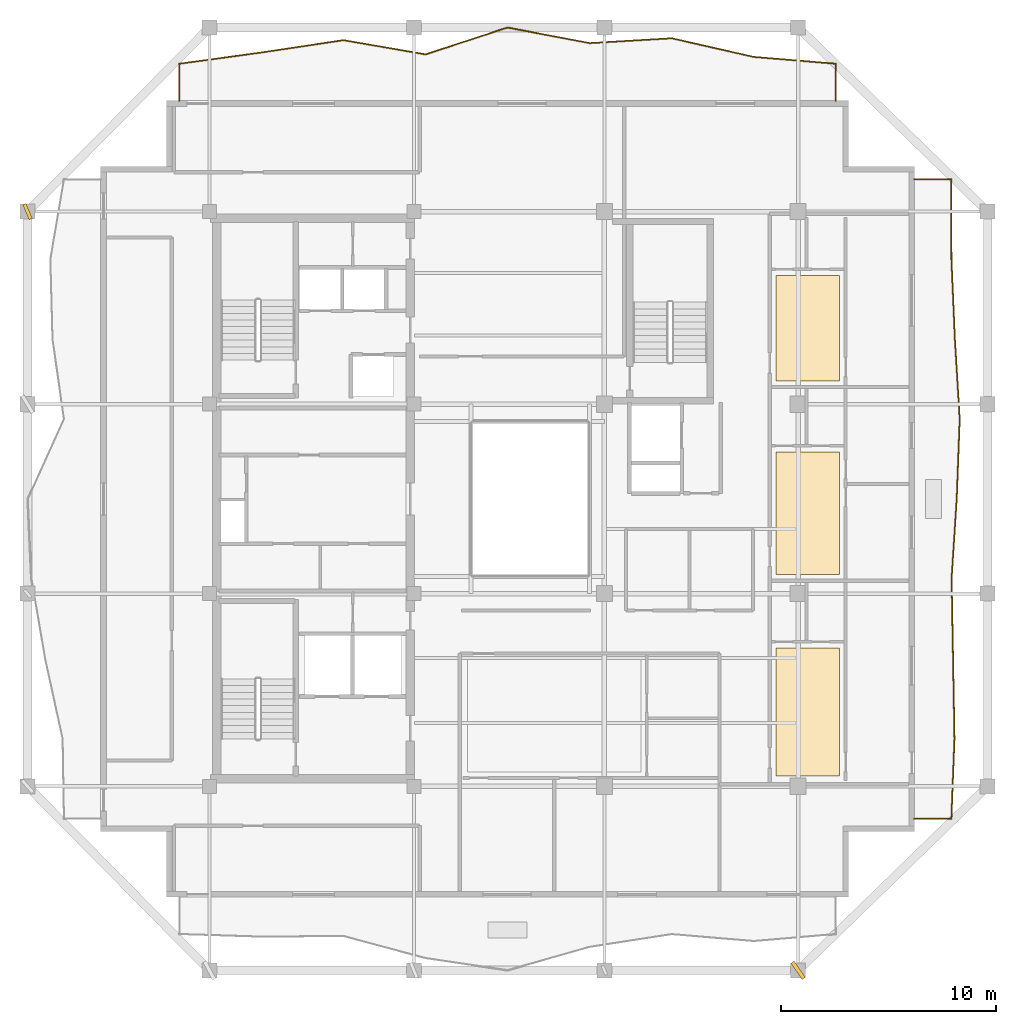
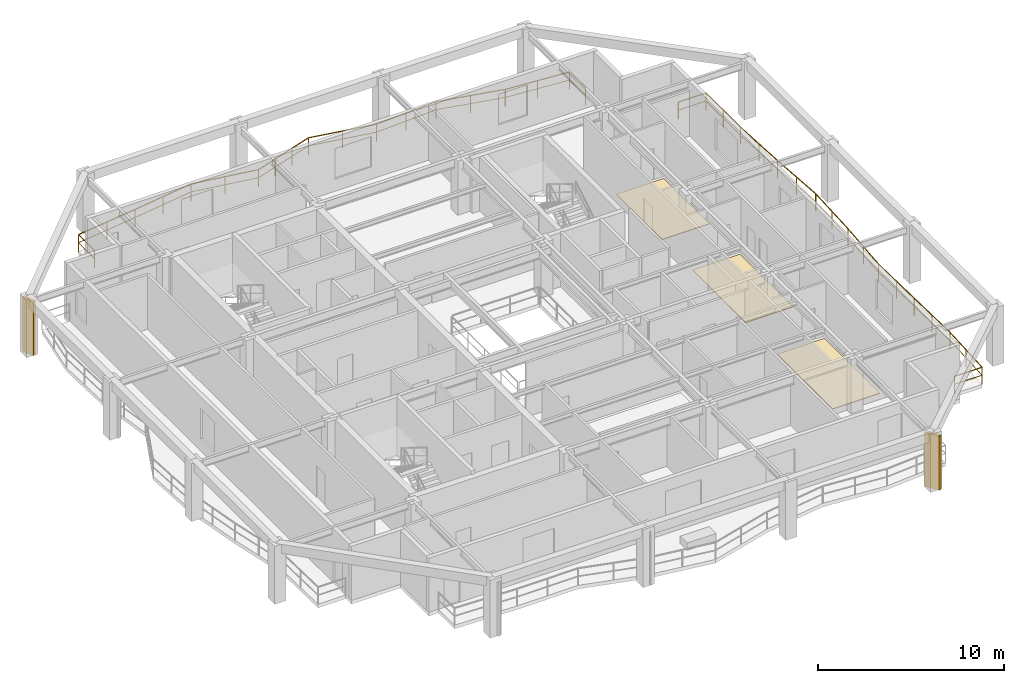
# One storey, part 9 of 10: 3 coverings, 2 railings, 2 shading devices.
"""IFC4 building model written with IfcOpenShell, lengths in metres."""

from ifc_helpers import new_model, si_unit, direction, frame, origin, origin_2d, place, context, subcontext, project, spatial, polyline, rectangle, outline, extrude, material, layer, layer_set, type_object, element, save


model = new_model("IFC4")

# Units and contexts
model_context = context("Model", 3, precision=1e-05, world=origin(), true_north=direction((0.0, 1.0)))
body_context = subcontext(model_context, "Body", "Model", "MODEL_VIEW")
ifc_project = project(units=[si_unit("LENGTHUNIT", "METRE"), si_unit("AREAUNIT", "SQUARE_METRE"), si_unit("VOLUMEUNIT", "CUBIC_METRE"), si_unit("PLANEANGLEUNIT", "RADIAN"), si_unit("MASSUNIT", "GRAM", prefix="KILO")], contexts=[model_context])

# Site, building, storey
site_placement = place(None, origin())
site = spatial("IfcSite", under=ifc_project, at=site_placement, CompositionType="ELEMENT")
building_placement = place(site_placement, origin())
building = spatial("IfcBuilding", under=site, at=building_placement, Name="Kundavana Baori Tower", CompositionType="ELEMENT")
storey_placement = place(building_placement, frame((0.0, 0.0, 320.10009765625)))
storey = spatial("IfcBuildingStorey", under=building, at=storey_placement, Name="L79", CompositionType="ELEMENT", Elevation=320.10009765625)

# Coverings
ifc_material_1 = material(Name="Honed Kota Stone and Terrazzo Flooring", Category="masonry")
ifc_layer = layer(ifc_material_1, 0.0400390625, Name="COV-FLR-TERR-40")
ifc_layer_set = layer_set([ifc_layer], Name="Honed Kota Stone and Terrazzo Flooring")
covering_type = type_object("IfcCoveringType", Name="COV-FLR-TERR-40", PredefinedType="FLOORING", material=ifc_layer_set)
covering_1_placement = place(storey_placement, origin())
element("IfcCovering", 1, at=covering_1_placement, inside=storey, type_object=covering_type, Name="L79 Room Finished Stone Flooring 2", PredefinedType="FLOORING", context=body_context, shape_type="SweptSolid", body=[
    extrude(outline(polyline([(41.780029296875, 15.72998046875), (44.719970703125, 15.72998046875), (44.719970703125, 21.679931640625), (41.780029296875, 21.679931640625), (41.780029296875, 15.72998046875)])), origin(), (0.0, 0.0, 1.0), 0.039794921875),
])
covering_2_placement = place(storey_placement, origin())
element("IfcCovering", 2, at=covering_2_placement, inside=storey, type_object=covering_type, Name="L79 Room Finished Stone Flooring 3", PredefinedType="FLOORING", context=body_context, shape_type="SweptSolid", body=[
    extrude(outline(polyline([(41.780029296875, 25.080078125), (44.719970703125, 25.080078125), (44.719970703125, 30.7900390625), (41.780029296875, 30.7900390625), (41.780029296875, 25.080078125)])), origin(), (0.0, 0.0, 1.0), 0.039794921875),
])
covering_3_placement = place(storey_placement, origin())
element("IfcCovering", 3, at=covering_3_placement, inside=storey, type_object=covering_type, Name="L79 Room Finished Stone Flooring 4", PredefinedType="FLOORING", context=body_context, shape_type="SweptSolid", body=[
    extrude(outline(polyline([(41.780029296875, 34.080078125), (44.719970703125, 34.080078125), (44.719970703125, 38.989990234375), (41.780029296875, 38.989990234375), (41.780029296875, 34.080078125)])), origin(), (0.0, 0.0, 1.0), 0.039794921875),
])

# Railings
ifc_material_2 = material(Name="Architectural Patinated Bronze Metalwork")
railing_type = type_object("IfcRailingType", Name="RL-BAL-1150", PredefinedType="BALUSTRADE", material=ifc_material_2)
railing_1_placement = place(storey_placement, frame((48.199951171875, 43.449951171875, 0.0)))
element("IfcRailing", 4, at=railing_1_placement, inside=storey, type_object=railing_type, Name="L79 Loggia Balcony Balustrade E", PredefinedType="BALUSTRADE", context=body_context, shape_type="SweptSolid", body=[
    extrude(rectangle(XDim=0.048095703125, YDim=0.048095703125, at=origin_2d()), frame((0.0, 0.0, 1.1259765625), z_axis=(1.0, 0.0, 0.0), x_axis=(0.0, 1.0, 0.0)), (0.0, 0.0, 1.0), 1.719970703125),
    extrude(rectangle(XDim=0.03125, YDim=0.03125, at=origin_2d()), frame((0.0, 0.0, 0.597900390625), z_axis=(1.0, 0.0, 0.0), x_axis=(0.0, 1.0, 0.0)), (0.0, 0.0, 1.0), 1.719970703125),
    extrude(rectangle(XDim=0.048095703125, YDim=0.048095703125, at=origin_2d()), frame((1.719970703125, 0.0, 1.1259765625), z_axis=(0.000855037835, -0.999999634455, 0.0), x_axis=(0.999999634455, 0.000855037835, 0.0)), (0.0, 0.0, 1.0), 3.7119140625),
    extrude(rectangle(XDim=0.03125, YDim=0.03125, at=origin_2d()), frame((1.719970703125, 0.0, 0.597900390625), z_axis=(0.000855037835, -0.999999634455, 0.0), x_axis=(0.999999634455, 0.000855037835, 0.0)), (0.0, 0.0, 1.0), 3.7119140625),
    extrude(rectangle(XDim=0.048095703125, YDim=0.048095703125, at=origin_2d()), frame((1.72314453125, -3.7119140625, 1.1259765625), z_axis=(0.043288989962, -0.999062592307, 0.0), x_axis=(0.999062592307, 0.043288989962, 0.0)), (0.0, 0.0, 1.0), 3.716552734375),
    extrude(rectangle(XDim=0.03125, YDim=0.03125, at=origin_2d()), frame((1.72314453125, -3.7119140625, 0.597900390625), z_axis=(0.043288989962, -0.999062592307, 0.0), x_axis=(0.999062592307, 0.043288989962, 0.0)), (0.0, 0.0, 1.0), 3.716552734375),
    extrude(rectangle(XDim=0.048095703125, YDim=0.048095703125, at=origin_2d()), frame((1.884033203125, -7.425048828125, 1.1259765625), z_axis=(0.060253294575, -0.998183119719, 0.0), x_axis=(0.998183119719, 0.060253294575, 0.0)), (0.0, 0.0, 1.0), 3.7197265625),
    extrude(rectangle(XDim=0.03125, YDim=0.03125, at=origin_2d()), frame((1.884033203125, -7.425048828125, 0.597900390625), z_axis=(0.060253294575, -0.998183119719, 0.0), x_axis=(0.998183119719, 0.060253294575, 0.0)), (0.0, 0.0, 1.0), 3.7197265625),
    extrude(rectangle(XDim=0.048095703125, YDim=0.048095703125, at=origin_2d()), frame((2.108154296875, -11.137939453125, 1.1259765625), z_axis=(-0.03720127669, -0.999307792931, 0.0), x_axis=(0.999307792931, -0.03720127669, 0.0)), (0.0, 0.0, 1.0), 3.714599609375),
    extrude(rectangle(XDim=0.03125, YDim=0.03125, at=origin_2d()), frame((2.108154296875, -11.137939453125, 0.597900390625), z_axis=(-0.03720127669, -0.999307792931, 0.0), x_axis=(0.999307792931, -0.03720127669, 0.0)), (0.0, 0.0, 1.0), 3.714599609375),
    extrude(rectangle(XDim=0.048095703125, YDim=0.048095703125, at=origin_2d()), frame((1.969970703125, -14.849853515625, 1.1259765625), z_axis=(-0.064253666072, -0.99793359819, 0.0), x_axis=(0.99793359819, -0.064253666072, 0.0)), (0.0, 0.0, 1.0), 3.7197265625),
    extrude(rectangle(XDim=0.03125, YDim=0.03125, at=origin_2d()), frame((1.969970703125, -14.849853515625, 0.597900390625), z_axis=(-0.064253666072, -0.99793359819, 0.0), x_axis=(0.99793359819, -0.064253666072, 0.0)), (0.0, 0.0, 1.0), 3.7197265625),
    extrude(rectangle(XDim=0.048095703125, YDim=0.048095703125, at=origin_2d()), frame((1.73095703125, -18.56201171875, 1.1259765625), z_axis=(0.018342521143, -0.999831761807, 0.0), x_axis=(0.999831761807, 0.018342521143, 0.0)), (0.0, 0.0, 1.0), 3.713623046875),
    extrude(rectangle(XDim=0.03125, YDim=0.03125, at=origin_2d()), frame((1.73095703125, -18.56201171875, 0.597900390625), z_axis=(0.018342521143, -0.999831761807, 0.0), x_axis=(0.999831761807, 0.018342521143, 0.0)), (0.0, 0.0, 1.0), 3.713623046875),
    extrude(rectangle(XDim=0.048095703125, YDim=0.048095703125, at=origin_2d()), frame((1.799072265625, -22.27490234375, 1.1259765625), z_axis=(0.01774984969, -0.999842459008, 0.0), x_axis=(0.999842459008, 0.01774984969, 0.0)), (0.0, 0.0, 1.0), 3.713623046875),
    extrude(rectangle(XDim=0.03125, YDim=0.03125, at=origin_2d()), frame((1.799072265625, -22.27490234375, 0.597900390625), z_axis=(0.01774984969, -0.999842459008, 0.0), x_axis=(0.999842459008, 0.01774984969, 0.0)), (0.0, 0.0, 1.0), 3.713623046875),
    extrude(rectangle(XDim=0.048095703125, YDim=0.048095703125, at=origin_2d()), frame((1.864990234375, -25.988037109375, 1.1259765625), z_axis=(-0.039038883792, -0.99923769222, 0.0), x_axis=(0.99923769222, -0.039038883792, 0.0)), (0.0, 0.0, 1.0), 3.71484375),
    extrude(rectangle(XDim=0.03125, YDim=0.03125, at=origin_2d()), frame((1.864990234375, -25.988037109375, 0.597900390625), z_axis=(-0.039038883792, -0.99923769222, 0.0), x_axis=(0.99923769222, -0.039038883792, 0.0)), (0.0, 0.0, 1.0), 3.71484375),
    extrude(rectangle(XDim=0.048095703125, YDim=0.048095703125, at=origin_2d()), frame((1.719970703125, -29.699951171875, 1.1259765625), z_axis=(-1.0, 0.0, 0.0), x_axis=(0.0, -1.0, 0.0)), (0.0, 0.0, 1.0), 1.719970703125),
    extrude(rectangle(XDim=0.03125, YDim=0.03125, at=origin_2d()), frame((1.719970703125, -29.699951171875, 0.597900390625), z_axis=(-1.0, 0.0, 0.0), x_axis=(0.0, -1.0, 0.0)), (0.0, 0.0, 1.0), 1.719970703125),
    extrude(rectangle(XDim=0.0419921875, YDim=0.0419921875, at=origin_2d()), origin(), (0.0, 0.0, 1.0), 1.101806640625),
    extrude(rectangle(XDim=0.0419921875, YDim=0.0419921875, at=origin_2d()), frame((1.719970703125, 0.0, 0.0)), (0.0, 0.0, 1.0), 1.101806640625),
    extrude(rectangle(XDim=0.0419921875, YDim=0.0419921875, at=origin_2d()), frame((1.7216796875, -1.85595703125, 0.0)), (0.0, 0.0, 1.0), 1.101806640625),
    extrude(rectangle(XDim=0.0419921875, YDim=0.0419921875, at=origin_2d()), frame((1.72314453125, -3.7119140625, 0.0)), (0.0, 0.0, 1.0), 1.101806640625),
    extrude(rectangle(XDim=0.0419921875, YDim=0.0419921875, at=origin_2d()), frame((1.8037109375, -5.568359375, 0.0)), (0.0, 0.0, 1.0), 1.101806640625),
    extrude(rectangle(XDim=0.0419921875, YDim=0.0419921875, at=origin_2d()), frame((1.884033203125, -7.425048828125, 0.0)), (0.0, 0.0, 1.0), 1.101806640625),
    extrude(rectangle(XDim=0.0419921875, YDim=0.0419921875, at=origin_2d()), frame((1.99609375, -9.281494140625, 0.0)), (0.0, 0.0, 1.0), 1.101806640625),
    extrude(rectangle(XDim=0.0419921875, YDim=0.0419921875, at=origin_2d()), frame((2.108154296875, -11.137939453125, 0.0)), (0.0, 0.0, 1.0), 1.101806640625),
    extrude(rectangle(XDim=0.0419921875, YDim=0.0419921875, at=origin_2d()), frame((2.0390625, -12.993896484375, 0.0)), (0.0, 0.0, 1.0), 1.101806640625),
    extrude(rectangle(XDim=0.0419921875, YDim=0.0419921875, at=origin_2d()), frame((1.969970703125, -14.849853515625, 0.0)), (0.0, 0.0, 1.0), 1.101806640625),
    extrude(rectangle(XDim=0.0419921875, YDim=0.0419921875, at=origin_2d()), frame((1.8505859375, -16.7060546875, 0.0)), (0.0, 0.0, 1.0), 1.101806640625),
    extrude(rectangle(XDim=0.0419921875, YDim=0.0419921875, at=origin_2d()), frame((1.73095703125, -18.56201171875, 0.0)), (0.0, 0.0, 1.0), 1.101806640625),
    extrude(rectangle(XDim=0.0419921875, YDim=0.0419921875, at=origin_2d()), frame((1.76513671875, -20.41845703125, 0.0)), (0.0, 0.0, 1.0), 1.101806640625),
    extrude(rectangle(XDim=0.0419921875, YDim=0.0419921875, at=origin_2d()), frame((1.799072265625, -22.27490234375, 0.0)), (0.0, 0.0, 1.0), 1.101806640625),
    extrude(rectangle(XDim=0.0419921875, YDim=0.0419921875, at=origin_2d()), frame((1.83203125, -24.13134765625, 0.0)), (0.0, 0.0, 1.0), 1.101806640625),
    extrude(rectangle(XDim=0.0419921875, YDim=0.0419921875, at=origin_2d()), frame((1.864990234375, -25.988037109375, 0.0)), (0.0, 0.0, 1.0), 1.101806640625),
    extrude(rectangle(XDim=0.0419921875, YDim=0.0419921875, at=origin_2d()), frame((1.79248046875, -27.843994140625, 0.0)), (0.0, 0.0, 1.0), 1.101806640625),
    extrude(rectangle(XDim=0.0419921875, YDim=0.0419921875, at=origin_2d()), frame((1.719970703125, -29.699951171875, 0.0)), (0.0, 0.0, 1.0), 1.101806640625),
    extrude(rectangle(XDim=0.0419921875, YDim=0.0419921875, at=origin_2d()), frame((0.0, -29.699951171875, 0.0)), (0.0, 0.0, 1.0), 1.101806640625),
])
railing_2_placement = place(storey_placement, frame((14.050048828125, 47.10009765625, 0.0)))
element("IfcRailing", 5, at=railing_2_placement, inside=storey, type_object=railing_type, Name="L79 Loggia Balcony Balustrade N", PredefinedType="BALUSTRADE", context=body_context, shape_type="SweptSolid", body=[
    extrude(rectangle(XDim=0.048095703125, YDim=0.048095703125, at=origin_2d()), frame((0.0, 0.0, 1.1259765625), z_axis=(0.0, 1.0, 0.0), x_axis=(-1.0, 0.0, 0.0)), (0.0, 0.0, 1.0), 1.719970703125),
    extrude(rectangle(XDim=0.03125, YDim=0.03125, at=origin_2d()), frame((0.0, 0.0, 0.597900390625), z_axis=(0.0, 1.0, 0.0), x_axis=(-1.0, 0.0, 0.0)), (0.0, 0.0, 1.0), 1.719970703125),
    extrude(rectangle(XDim=0.048095703125, YDim=0.048095703125, at=origin_2d()), frame((0.0, 1.719970703125, 1.1259765625), z_axis=(0.990759777242, 0.135628403364, 0.0), x_axis=(-0.135628403364, 0.990759777242, 0.0)), (0.0, 0.0, 1.0), 3.8486328125),
    extrude(rectangle(XDim=0.03125, YDim=0.03125, at=origin_2d()), frame((0.0, 1.719970703125, 0.597900390625), z_axis=(0.990759777242, 0.135628403364, 0.0), x_axis=(-0.135628403364, 0.990759777242, 0.0)), (0.0, 0.0, 1.0), 3.8486328125),
    extrude(rectangle(XDim=0.048095703125, YDim=0.048095703125, at=origin_2d()), frame((3.81298828125, 2.241943359375, 1.1259765625), z_axis=(0.988853512519, 0.148891674647, 0.0), x_axis=(-0.148891674647, 0.988853512519, 0.0)), (0.0, 0.0, 1.0), 3.85498046875),
    extrude(rectangle(XDim=0.03125, YDim=0.03125, at=origin_2d()), frame((3.81298828125, 2.241943359375, 0.597900390625), z_axis=(0.988853512519, 0.148891674647, 0.0), x_axis=(-0.148891674647, 0.988853512519, 0.0)), (0.0, 0.0, 1.0), 3.85498046875),
    extrude(rectangle(XDim=0.048095703125, YDim=0.048095703125, at=origin_2d()), frame((7.625, 2.81591796875, 1.1259765625), z_axis=(0.985291308729, -0.170883109007, 0.0), x_axis=(0.170883109007, 0.985291308729, 0.0)), (0.0, 0.0, 1.0), 3.868896484375),
    extrude(rectangle(XDim=0.03125, YDim=0.03125, at=origin_2d()), frame((7.625, 2.81591796875, 0.597900390625), z_axis=(0.985291308729, -0.170883109007, 0.0), x_axis=(0.170883109007, 0.985291308729, 0.0)), (0.0, 0.0, 1.0), 3.868896484375),
    extrude(rectangle(XDim=0.048095703125, YDim=0.048095703125, at=origin_2d()), frame((11.43701171875, 2.15478515625, 1.1259765625), z_axis=(0.950601058119, 0.310415251403, 0.0), x_axis=(-0.310415251403, 0.950601058119, 0.0)), (0.0, 0.0, 1.0), 4.01123046875),
    extrude(rectangle(XDim=0.03125, YDim=0.03125, at=origin_2d()), frame((11.43701171875, 2.15478515625, 0.597900390625), z_axis=(0.950601058119, 0.310415251403, 0.0), x_axis=(-0.310415251403, 0.950601058119, 0.0)), (0.0, 0.0, 1.0), 4.01123046875),
    extrude(rectangle(XDim=0.048095703125, YDim=0.048095703125, at=origin_2d()), frame((15.25, 3.39990234375, 1.1259765625), z_axis=(0.982489701943, -0.186316895572, 0.0), x_axis=(0.186316895572, 0.982489701943, 0.0)), (0.0, 0.0, 1.0), 3.8798828125),
    extrude(rectangle(XDim=0.03125, YDim=0.03125, at=origin_2d()), frame((15.25, 3.39990234375, 0.597900390625), z_axis=(0.982489701943, -0.186316895572, 0.0), x_axis=(0.186316895572, 0.982489701943, 0.0)), (0.0, 0.0, 1.0), 3.8798828125),
    extrude(rectangle(XDim=0.048095703125, YDim=0.048095703125, at=origin_2d()), frame((19.06201171875, 2.677001953125, 1.1259765625), z_axis=(0.99825070962, 0.059122929082, 0.0), x_axis=(-0.059122929082, 0.99825070962, 0.0)), (0.0, 0.0, 1.0), 3.819580078125),
    extrude(rectangle(XDim=0.03125, YDim=0.03125, at=origin_2d()), frame((19.06201171875, 2.677001953125, 0.597900390625), z_axis=(0.99825070962, 0.059122929082, 0.0), x_axis=(-0.059122929082, 0.99825070962, 0.0)), (0.0, 0.0, 1.0), 3.819580078125),
    extrude(rectangle(XDim=0.048095703125, YDim=0.048095703125, at=origin_2d()), frame((22.875, 2.90283203125, 1.1259765625), z_axis=(0.975154936802, -0.221523924737, 0.0), x_axis=(0.221523924737, 0.975154936802, 0.0)), (0.0, 0.0, 1.0), 3.9091796875),
    extrude(rectangle(XDim=0.03125, YDim=0.03125, at=origin_2d()), frame((22.875, 2.90283203125, 0.597900390625), z_axis=(0.975154936802, -0.221523924737, 0.0), x_axis=(0.221523924737, 0.975154936802, 0.0)), (0.0, 0.0, 1.0), 3.9091796875),
    extrude(rectangle(XDim=0.048095703125, YDim=0.048095703125, at=origin_2d()), frame((26.68701171875, 2.036865234375, 1.1259765625), z_axis=(0.996564216083, -0.08282368757, 0.0), x_axis=(0.08282368757, 0.996564216083, 0.0)), (0.0, 0.0, 1.0), 3.826171875),
    extrude(rectangle(XDim=0.03125, YDim=0.03125, at=origin_2d()), frame((26.68701171875, 2.036865234375, 0.597900390625), z_axis=(0.996564216083, -0.08282368757, 0.0), x_axis=(0.08282368757, 0.996564216083, 0.0)), (0.0, 0.0, 1.0), 3.826171875),
    extrude(rectangle(XDim=0.048095703125, YDim=0.048095703125, at=origin_2d()), frame((30.5, 1.719970703125, 1.1259765625), z_axis=(0.0, -1.0, 0.0), x_axis=(1.0, 0.0, 0.0)), (0.0, 0.0, 1.0), 1.719970703125),
    extrude(rectangle(XDim=0.03125, YDim=0.03125, at=origin_2d()), frame((30.5, 1.719970703125, 0.597900390625), z_axis=(0.0, -1.0, 0.0), x_axis=(1.0, 0.0, 0.0)), (0.0, 0.0, 1.0), 1.719970703125),
    extrude(rectangle(XDim=0.0419921875, YDim=0.0419921875, at=origin_2d()), origin(), (0.0, 0.0, 1.0), 1.101806640625),
    extrude(rectangle(XDim=0.0419921875, YDim=0.0419921875, at=origin_2d()), frame((0.0, 1.719970703125, 0.0)), (0.0, 0.0, 1.0), 1.101806640625),
    extrude(rectangle(XDim=0.0419921875, YDim=0.0419921875, at=origin_2d()), frame((1.906494140625, 1.98095703125, 0.0)), (0.0, 0.0, 1.0), 1.101806640625),
    extrude(rectangle(XDim=0.0419921875, YDim=0.0419921875, at=origin_2d()), frame((3.81298828125, 2.241943359375, 0.0)), (0.0, 0.0, 1.0), 1.101806640625),
    extrude(rectangle(XDim=0.0419921875, YDim=0.0419921875, at=origin_2d()), frame((5.718994140625, 2.52880859375, 0.0)), (0.0, 0.0, 1.0), 1.101806640625),
    extrude(rectangle(XDim=0.0419921875, YDim=0.0419921875, at=origin_2d()), frame((7.625, 2.81591796875, 0.0)), (0.0, 0.0, 1.0), 1.101806640625),
    extrude(rectangle(XDim=0.0419921875, YDim=0.0419921875, at=origin_2d()), frame((9.531005859375, 2.4853515625, 0.0)), (0.0, 0.0, 1.0), 1.101806640625),
    extrude(rectangle(XDim=0.0419921875, YDim=0.0419921875, at=origin_2d()), frame((11.43701171875, 2.15478515625, 0.0)), (0.0, 0.0, 1.0), 1.101806640625),
    extrude(rectangle(XDim=0.0419921875, YDim=0.0419921875, at=origin_2d()), frame((12.7080078125, 2.56982421875, 0.0)), (0.0, 0.0, 1.0), 1.101806640625),
    extrude(rectangle(XDim=0.0419921875, YDim=0.0419921875, at=origin_2d()), frame((13.97900390625, 2.98486328125, 0.0)), (0.0, 0.0, 1.0), 1.101806640625),
    extrude(rectangle(XDim=0.0419921875, YDim=0.0419921875, at=origin_2d()), frame((15.25, 3.39990234375, 0.0)), (0.0, 0.0, 1.0), 1.101806640625),
    extrude(rectangle(XDim=0.0419921875, YDim=0.0419921875, at=origin_2d()), frame((17.156005859375, 3.03857421875, 0.0)), (0.0, 0.0, 1.0), 1.101806640625),
    extrude(rectangle(XDim=0.0419921875, YDim=0.0419921875, at=origin_2d()), frame((19.06201171875, 2.677001953125, 0.0)), (0.0, 0.0, 1.0), 1.101806640625),
    extrude(rectangle(XDim=0.0419921875, YDim=0.0419921875, at=origin_2d()), frame((20.968505859375, 2.7900390625, 0.0)), (0.0, 0.0, 1.0), 1.101806640625),
    extrude(rectangle(XDim=0.0419921875, YDim=0.0419921875, at=origin_2d()), frame((22.875, 2.90283203125, 0.0)), (0.0, 0.0, 1.0), 1.101806640625),
    extrude(rectangle(XDim=0.0419921875, YDim=0.0419921875, at=origin_2d()), frame((24.781005859375, 2.4697265625, 0.0)), (0.0, 0.0, 1.0), 1.101806640625),
    extrude(rectangle(XDim=0.0419921875, YDim=0.0419921875, at=origin_2d()), frame((26.68701171875, 2.036865234375, 0.0)), (0.0, 0.0, 1.0), 1.101806640625),
    extrude(rectangle(XDim=0.0419921875, YDim=0.0419921875, at=origin_2d()), frame((28.593505859375, 1.87841796875, 0.0)), (0.0, 0.0, 1.0), 1.101806640625),
    extrude(rectangle(XDim=0.0419921875, YDim=0.0419921875, at=origin_2d()), frame((30.5, 1.719970703125, 0.0)), (0.0, 0.0, 1.0), 1.101806640625),
    extrude(rectangle(XDim=0.0419921875, YDim=0.0419921875, at=origin_2d()), frame((30.5, 0.0, 0.0)), (0.0, 0.0, 1.0), 1.101806640625),
])

# Shading devices
ifc_material_3 = material(Name="Red-Buff Dholpur Sandstone Cladding on Concrete C40/50", Category="masonry")
shading_device_type_1 = type_object("IfcShadingDeviceType", Name="SHD-FIN-750", PredefinedType="JALOUSIE", material=ifc_material_3)
shading_device_1_placement = place(storey_placement, frame((7.0, 41.949951171875, -0.000244140625), z_axis=(0.0, 0.0, 1.0), x_axis=(0.919684489797, 0.392658170968, 0.0)))
element("IfcShadingDevice", 6, at=shading_device_1_placement, inside=storey, type_object=shading_device_type_1, Name="L79 Sweeping Dholpur Sandstone Facade Fin 8", PredefinedType="JALOUSIE", context=body_context, shape_type="SweptSolid", body=[
    extrude(rectangle(XDim=0.159912109375, YDim=0.75, at=origin_2d()), origin(), (0.0, 0.0, 1.0), 3.56005859375),
])
ifc_material_4 = material(Name="Red-Buff Dholpur Sandstone Cladding on Concrete C40/50", Category="masonry")
shading_device_type_2 = type_object("IfcShadingDeviceType", Name="SHD-FIN-920", PredefinedType="JALOUSIE", material=ifc_material_4)
shading_device_2_placement = place(storey_placement, frame((42.800048828125, 6.699951171875, -0.000244140625), z_axis=(0.0, 0.0, 1.0), x_axis=(0.825901536471, 0.563814377303, 0.0)))
element("IfcShadingDevice", 7, at=shading_device_2_placement, inside=storey, type_object=shading_device_type_2, Name="L79 Sweeping Dholpur Sandstone Facade Fin 4", PredefinedType="JALOUSIE", context=body_context, shape_type="SweptSolid", body=[
    extrude(rectangle(XDim=0.179931640625, YDim=0.919921875, at=origin_2d()), origin(), (0.0, 0.0, 1.0), 3.56005859375),
])

save(model, "model.ifc")
